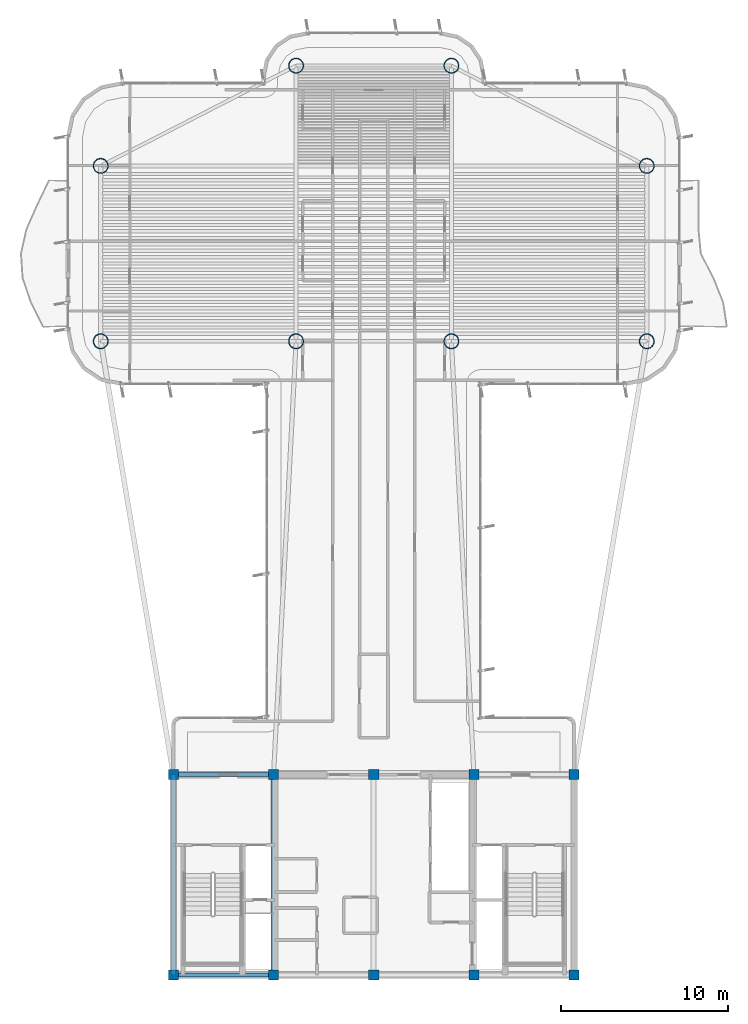
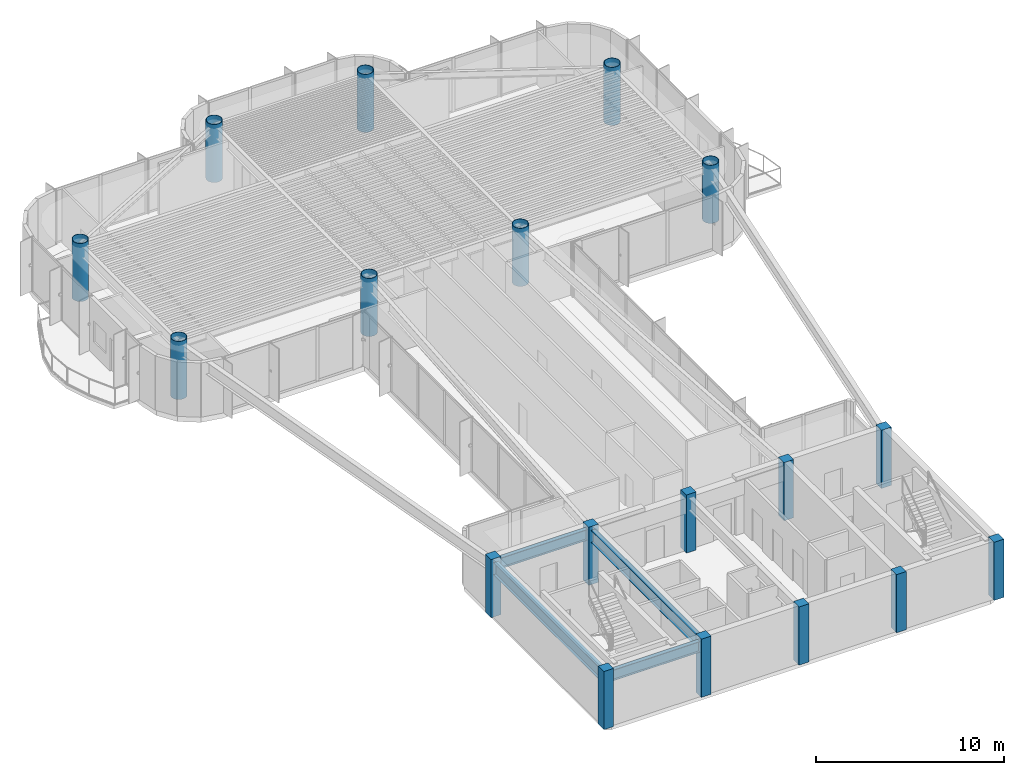
# One storey, part 1 of 16: 18 columns, 4 beams.
"""IFC4 building model written with IfcOpenShell, lengths in metres."""

from ifc_helpers import new_model, si_unit, direction, frame, origin, origin_2d, place, context, subcontext, project, spatial, rectangle, hollow_circle, i_section, extrude, source, transform, mapped, material, material_profile, profile_set, type_object, element, save


model = new_model("IFC4")

# Units and contexts
model_context = context("Model", 3, precision=1e-05, world=origin(), true_north=direction((0.0, 1.0)))
body_context = subcontext(model_context, "Body", "Model", "MODEL_VIEW")
ifc_project = project(units=[si_unit("LENGTHUNIT", "METRE"), si_unit("AREAUNIT", "SQUARE_METRE"), si_unit("VOLUMEUNIT", "CUBIC_METRE"), si_unit("PLANEANGLEUNIT", "RADIAN"), si_unit("MASSUNIT", "GRAM", prefix="KILO")], contexts=[model_context])

# Site, building, storey
site_placement = place(None, origin())
site = spatial("IfcSite", under=ifc_project, at=site_placement, CompositionType="ELEMENT")
building_placement = place(site_placement, origin())
building = spatial("IfcBuilding", under=site, at=building_placement, Name="Brelvock Crest Care Tower", CompositionType="ELEMENT")
storey_placement = place(building_placement, frame((0.0, 0.0, 223.02001953125)))
storey = spatial("IfcBuildingStorey", under=building, at=storey_placement, Name="L56", CompositionType="ELEMENT", Elevation=223.02001953125)

# Columns
ifc_material_1 = material(Name="Concrete S65 (65 MPa)", Category="concrete")
ifc_material_profile_1 = material_profile(ifc_material_1, rectangle(XDim=0.60009765625, YDim=0.60009765625, at=origin_2d()), Name="RC600x600")
ifc_profile_set_1 = profile_set([ifc_material_profile_1], Name="Concrete S65 (65 MPa)")
column_type_1 = type_object("IfcColumnType", Name="COL-RC4", PredefinedType="COLUMN", material=ifc_profile_set_1)
shared_shape_1 = source(origin(), body_context, "Body", "SweptSolid", [
    extrude(rectangle(XDim=0.60009765625, YDim=0.60009765625, at=origin_2d()), origin(), (0.0, 0.0, 1.0), 3.780029296875),
])
for number, where, z_axis, x_axis, name in (
    (1, (24.0, 6.0, 0.0), (0.0, 0.0, 1.0), (1.0, 0.0, 0.0), "L56 Core Column CC-01"),
    (2, (30.0, 6.0, 0.0), (0.0, 0.0, 1.0), (1.0, 0.0, 0.0), "L56 Core Column CC-02"),
    (3, (36.0, 6.0, 0.0), (0.0, 0.0, 1.0), (1.0, 0.0, 0.0), "L56 Core Column CC-03"),
    (4, (42.0, 6.0, 0.0), (0.0, 0.0, 1.0), (1.0, 0.0, 0.0), "L56 Core Column CC-04"),
    (5, (48.0, 6.0, 0.0), (0.0, 0.0, 1.0), (1.0, 0.0, 0.0), "L56 Core Column CC-05"),
    (6, (24.0, 18.0, 0.0), (0.0, 0.0, 1.0), (1.0, 0.0, 0.0), "L56 Core Column CC-06"),
    (7, (30.0, 18.0, 0.0), (0.0, 0.0, 1.0), (1.0, 0.0, 0.0), "L56 Core Column CC-07"),
    (8, (36.0, 18.0, 0.0), (0.0, 0.0, 1.0), (1.0, 0.0, 0.0), "L56 Core Column CC-08"),
    (9, (42.0, 18.0, 0.0), (0.0, 0.0, 1.0), (1.0, 0.0, 0.0), "L56 Core Column CC-09"),
    (10, (48.0, 18.0, 0.0), (0.0, 0.0, 1.0), (1.0, 0.0, 0.0), "L56 Core Column CC-10"),
):
    element("IfcColumn", number, at=place(storey_placement, frame(where, z_axis=z_axis, x_axis=x_axis)), inside=storey, type_object=column_type_1, Name=name, PredefinedType="COLUMN", context=body_context, shape_type="MappedRepresentation", body=[
        mapped(shared_shape_1, transform((0.0, 0.0, 0.0), x_axis=(1.0, 0.0, 0.0), y_axis=(0.0, 1.0, 0.0), z_axis=(0.0, 0.0, 1.0), scale=1.0)),
    ])
ifc_material_2 = material(Name="Steel Grade 350", Category="steel")
ifc_material_profile_2 = material_profile(ifc_material_2, hollow_circle(Radius=0.449951171875, WallThickness=0.031982421875, at=origin_2d()), Name="CFT900x32")
ifc_profile_set_2 = profile_set([ifc_material_profile_2], Name="Steel Grade 350")
column_type_2 = type_object("IfcColumnType", Name="COL-MC4", PredefinedType="COLUMN", material=ifc_profile_set_2)
shared_shape_2 = source(origin(), body_context, "Body", "SweptSolid", [
    extrude(hollow_circle(Radius=0.449951171875, WallThickness=0.031982421875, at=origin_2d()), origin(), (0.0, 0.0, 1.0), 3.780029296875),
])
for number, where, z_axis, x_axis, name in (
    (11, (19.64990234375, 43.949951171875, 0.0), (0.0, 0.0, 1.0), (1.0, 0.0, 0.0), "L56 Tower Column M1"),
    (12, (19.64990234375, 54.449951171875, 0.0), (0.0, 0.0, 1.0), (1.0, 0.0, 0.0), "L56 Tower Column M2"),
    (13, (52.35009765625, 43.949951171875, 0.0), (0.0, 0.0, 1.0), (1.0, 0.0, 0.0), "L56 Tower Column M3"),
    (14, (52.35009765625, 54.449951171875, 0.0), (0.0, 0.0, 1.0), (1.0, 0.0, 0.0), "L56 Tower Column M4"),
    (15, (31.35009765625, 43.949951171875, 0.0), (0.0, 0.0, 1.0), (1.0, 0.0, 0.0), "L56 Tower Column M5"),
    (16, (40.64990234375, 43.949951171875, 0.0), (0.0, 0.0, 1.0), (1.0, 0.0, 0.0), "L56 Tower Column M6"),
    (17, (31.35009765625, 60.449951171875, 0.0), (0.0, 0.0, 1.0), (1.0, 0.0, 0.0), "L56 Tower Column M7"),
    (18, (40.64990234375, 60.449951171875, 0.0), (0.0, 0.0, 1.0), (1.0, 0.0, 0.0), "L56 Tower Column M8"),
):
    element("IfcColumn", number, at=place(storey_placement, frame(where, z_axis=z_axis, x_axis=x_axis)), inside=storey, type_object=column_type_2, Name=name, PredefinedType="COLUMN", context=body_context, shape_type="MappedRepresentation", body=[
        mapped(shared_shape_2, transform((0.0, 0.0, 0.0), x_axis=(1.0, 0.0, 0.0), y_axis=(0.0, 1.0, 0.0), z_axis=(0.0, 0.0, 1.0), scale=1.0)),
    ])

# Beams
ifc_material_profile_3 = material_profile(ifc_material_2, i_section(OverallWidth=0.25, OverallDepth=0.699951171875, WebThickness=0.011962890625, FlangeThickness=0.02001953125, at=origin_2d()), Name="700WB150")
ifc_profile_set_3 = profile_set([ifc_material_profile_3], Name="Steel Grade 350")
beam_type_1 = type_object("IfcBeamType", Name="BM-G4", PredefinedType="BEAM", material=ifc_profile_set_3)
shared_shape_3 = source(origin(), body_context, "Body", "SweptSolid", [
    extrude(i_section(OverallWidth=0.25, OverallDepth=0.699951171875, WebThickness=0.011962890625, FlangeThickness=0.02001953125, at=origin_2d()), origin(), (0.0, 0.0, 1.0), 6.0),
])
for number, where, z_axis, x_axis, name in (
    (19, (24.0, 6.0, 3.179931640625), (1.0, 0.0, 0.0), (0.0, 1.0, 0.0), "BM-CORES-L56-1"),
    (20, (24.0, 18.0, 3.179931640625), (1.0, 0.0, 0.0), (0.0, 1.0, 0.0), "BM-COREN-L56-1"),
):
    element("IfcBeam", number, at=place(storey_placement, frame(where, z_axis=z_axis, x_axis=x_axis)), inside=storey, type_object=beam_type_1, Name=name, PredefinedType="BEAM", context=body_context, shape_type="MappedRepresentation", body=[
        mapped(shared_shape_3, transform((0.0, 0.0, 0.0), x_axis=(1.0, 0.0, 0.0), y_axis=(0.0, 1.0, 0.0), z_axis=(0.0, 0.0, 1.0), scale=1.0)),
    ])
ifc_material_profile_4 = material_profile(ifc_material_2, i_section(OverallWidth=0.300048828125, OverallDepth=0.800048828125, WebThickness=0.013916015625, FlangeThickness=0.02197265625, at=origin_2d()), Name="800WB192")
ifc_profile_set_4 = profile_set([ifc_material_profile_4], Name="Steel Grade 350")
beam_type_2 = type_object("IfcBeamType", Name="BM-G5", PredefinedType="BEAM", material=ifc_profile_set_4)
shared_shape_4 = source(origin(), body_context, "Body", "SweptSolid", [
    extrude(i_section(OverallWidth=0.300048828125, OverallDepth=0.800048828125, WebThickness=0.013916015625, FlangeThickness=0.02197265625, at=origin_2d()), origin(), (0.0, 0.0, 1.0), 12.0),
])
for number, where, z_axis, x_axis, name in (
    (21, (24.0, 6.0, 3.1298828125), (0.0, 1.0, 0.0), (-1.0, 0.0, 0.0), "BM-COREX-L56-1"),
    (22, (30.0, 6.0, 3.1298828125), (0.0, 1.0, 0.0), (-1.0, 0.0, 0.0), "BM-COREX-L56-2"),
):
    element("IfcBeam", number, at=place(storey_placement, frame(where, z_axis=z_axis, x_axis=x_axis)), inside=storey, type_object=beam_type_2, Name=name, PredefinedType="BEAM", context=body_context, shape_type="MappedRepresentation", body=[
        mapped(shared_shape_4, transform((0.0, 0.0, 0.0), x_axis=(1.0, 0.0, 0.0), y_axis=(0.0, 1.0, 0.0), z_axis=(0.0, 0.0, 1.0), scale=1.0)),
    ])

save(model, "model.ifc")
